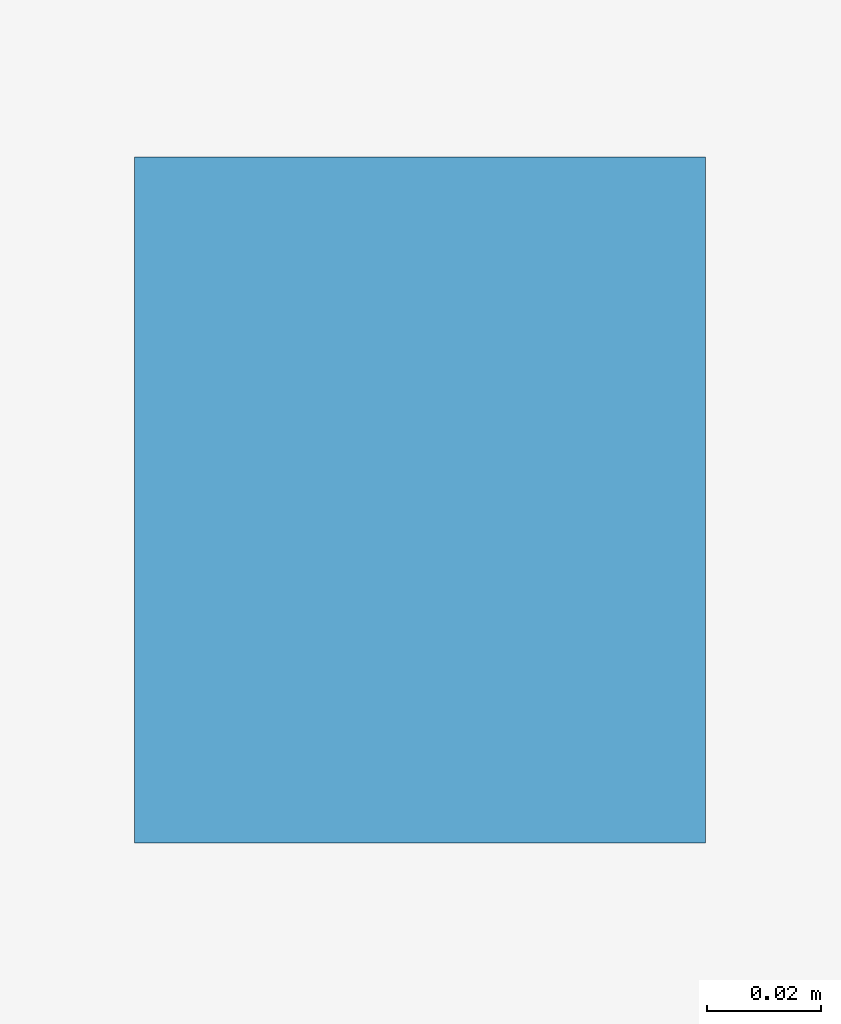
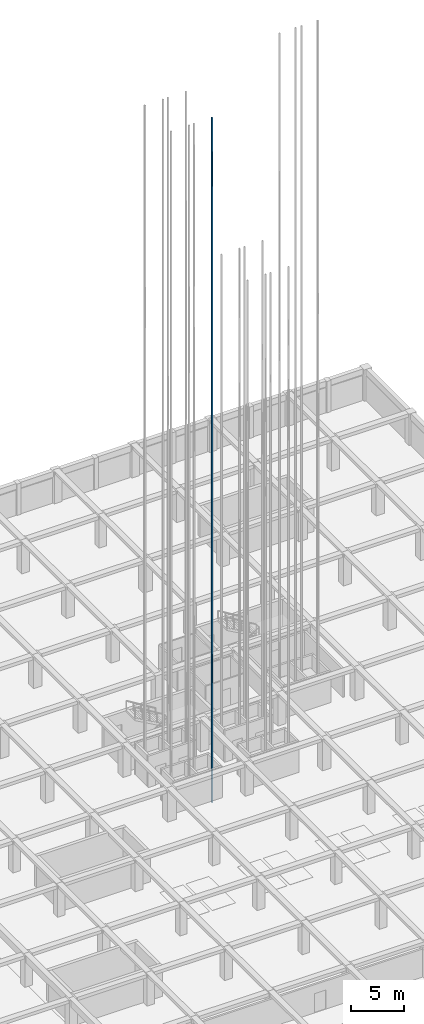
# One storey, part 28 of 47: 1 discrete accessory.
"""IFC4 building model written with IfcOpenShell, lengths in metres."""

from ifc_helpers import new_model, si_unit, direction, frame, origin, origin_2d, place, context, subcontext, project, spatial, rectangle, extrude, material, layer, layer_set, type_object, element, save


model = new_model("IFC4")

# Units and contexts
model_context = context("Model", 3, precision=1e-05, world=origin(), true_north=direction((0.0, 1.0)))
body_context = subcontext(model_context, "Body", "Model", "MODEL_VIEW")
ifc_project = project(units=[si_unit("LENGTHUNIT", "METRE"), si_unit("AREAUNIT", "SQUARE_METRE"), si_unit("VOLUMEUNIT", "CUBIC_METRE"), si_unit("PLANEANGLEUNIT", "RADIAN"), si_unit("MASSUNIT", "GRAM", prefix="KILO")], contexts=[model_context])

# Site, building, storey
site_placement = place(None, origin())
site = spatial("IfcSite", under=ifc_project, at=site_placement, CompositionType="ELEMENT")
building_placement = place(site_placement, origin())
building = spatial("IfcBuilding", under=site, at=building_placement, Name="Almacenes y Pasaje Nevantli", CompositionType="ELEMENT")
storey_placement = place(building_placement, frame((0.0, 0.0, -8.10009765625)))
storey = spatial("IfcBuildingStorey", under=building, at=storey_placement, Name="B02", CompositionType="ELEMENT", Elevation=-8.10009765625)

# Discrete accessory
ifc_material = material(Name="Steel ASTM A36", Category="steel")
ifc_layer = layer(ifc_material, 0.1201171875)
ifc_layer_set = layer_set([ifc_layer], Name="Steel ASTM A36")
discrete_accessory_type = type_object("IfcDiscreteAccessoryType", Name="ACC-LIFT-RAIL", PredefinedType="BRACKET", material=ifc_layer_set)
discrete_accessory_placement = place(storey_placement, frame((123.22998046875, 68.949951171875, -1.199951171875), z_axis=(0.0, 0.0, 1.0), x_axis=(1.0, 0.0, 0.0)))
element("IfcDiscreteAccessory", 1, at=discrete_accessory_placement, inside=storey, type_object=discrete_accessory_type, Name="Elevator Steel T-Section Guide Rail ELV-P06-E", PredefinedType="BRACKET", context=body_context, shape_type="SweptSolid", body=[
    extrude(rectangle(XDim=0.10009765625, YDim=0.1201171875, at=origin_2d()), origin(), (0.0, 0.0, 1.0), 78.5),
])

save(model, "model.ifc")
